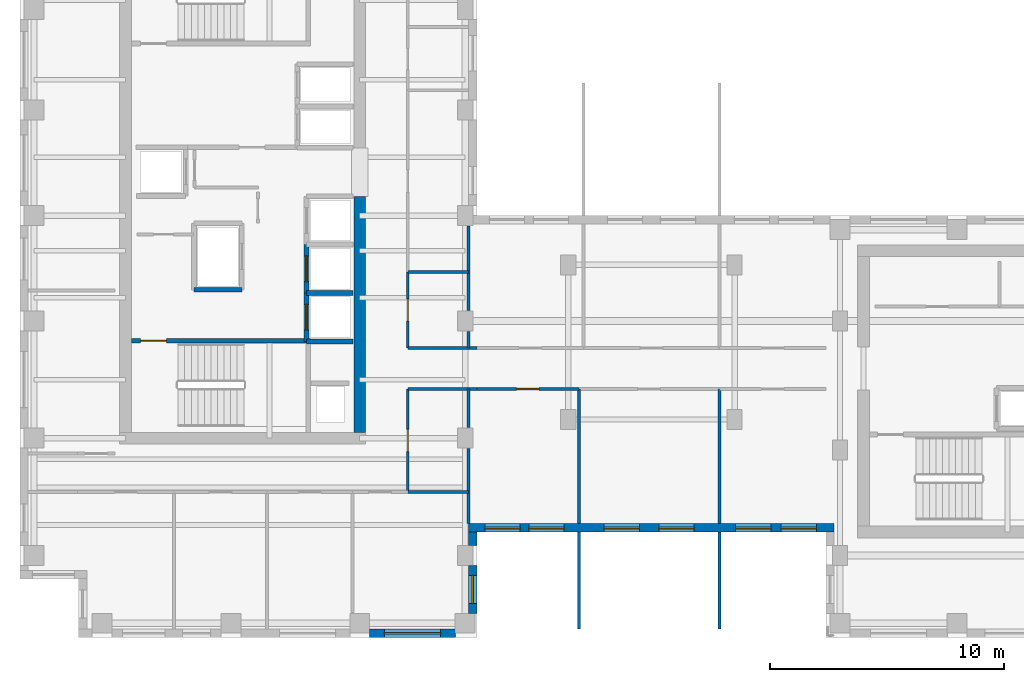
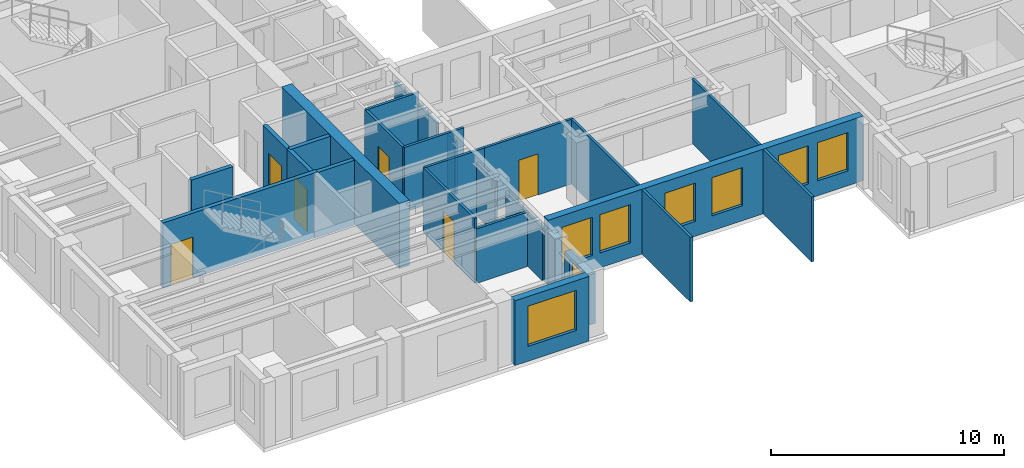
# One storey, part 4 of 11: 26 walls, 8 windows, 6 doors, 14 openings.
"""IFC4 building model written with IfcOpenShell, lengths in metres."""

import ifcopenshell
import ifcopenshell.guid

model = None  # the IFC model being written
_history = None  # IfcOwnerHistory: only IFC2X3 demands one
_inside = {}  # id of a spatial element -> (the spatial element, [elements in it])
_under = {}  # id of a project, library or spatial element -> (it, [spatial elements below it])
_declared = {}  # id of a project -> (the project, [libraries it declares])
_typed = {}  # id of a type object -> (the type object, [elements of that type])
_made_of = {}  # id of a material, layer set ... -> (it, [elements and type objects made of it])


def new_model(schema):
    """Start an empty IFC model of exactly this schema.

    Asked for "IFC4X3", IfcOpenShell would pick the latest addendum, in which some entities
    have other attributes; the version numbers below select the first issue.
    IFC2X3 requires an IfcOwnerHistory on every rooted entity: one is made here for all.
    """
    global model, _history
    if schema == "IFC4X3":
        model = ifcopenshell.file(schema_version=(4, 3, 0, 0))
    else:
        model = ifcopenshell.file(schema=schema)
    _inside.clear()
    _under.clear()
    _declared.clear()
    _typed.clear()
    _made_of.clear()
    _history = None
    if model.schema == "IFC2X3":
        org = make("IfcOrganization", Name="unknown")
        user = make(
            "IfcPersonAndOrganization",
            ThePerson=make("IfcPerson", FamilyName="unknown"),
            TheOrganization=org,
        )
        app = make(
            "IfcApplication",
            ApplicationDeveloper=org,
            Version="unknown",
            ApplicationFullName="unknown",
            ApplicationIdentifier="unknown",
        )
        _history = make(
            "IfcOwnerHistory",
            OwningUser=user,
            OwningApplication=app,
            ChangeAction="ADDED",
            CreationDate=0,
        )
    return model


def make(cls, **values):
    """One entity of the class cls with the attributes given. An attribute that is None is left unset."""
    return model.create_entity(
        cls, **{name: value for name, value in values.items() if value is not None}
    )


def rooted(cls, **values):
    """An entity with a GlobalId (a new one), such as an element, a storey or a relation."""
    return make(cls, GlobalId=ifcopenshell.guid.new(), OwnerHistory=_history, **values)


def si_unit(unit_type, name, prefix=None):
    """IfcSIUnit, for example si_unit("LENGTHUNIT", "METRE", prefix="MILLI")."""
    return make("IfcSIUnit", UnitType=unit_type, Prefix=prefix, Name=name)


def assignment(units):
    """IfcUnitAssignment: the units of a project."""
    return None if units is None else make("IfcUnitAssignment", Units=units)


def point(xyz):
    """IfcCartesianPoint."""
    return None if xyz is None else make("IfcCartesianPoint", Coordinates=xyz)


def direction(xyz):
    """IfcDirection."""
    return None if xyz is None else make("IfcDirection", DirectionRatios=xyz)


def frame(location, z_axis=None, x_axis=None):
    """IfcAxis2Placement3D, a coordinate frame: its origin and axes. An axis left out is left unset."""
    return make(
        "IfcAxis2Placement3D",
        Location=point(location),
        Axis=direction(z_axis),
        RefDirection=direction(x_axis),
    )


def frame_2d(location, x_axis=None):
    """IfcAxis2Placement2D, a coordinate frame in the plane: its origin and x axis."""
    return make(
        "IfcAxis2Placement2D", Location=point(location), RefDirection=direction(x_axis)
    )


def origin():
    """The frame at (0, 0, 0) with its axes left unset."""
    return frame((0.0, 0.0, 0.0))


def place(relative_to, where):
    """IfcLocalPlacement: puts the frame where relative to a parent placement (None: the world)."""
    return make(
        "IfcLocalPlacement", PlacementRelTo=relative_to, RelativePlacement=where
    )


def context(
    kind, dimensions, precision=None, world=None, true_north=None, identifier=None
):
    """IfcGeometricRepresentationContext, for example the 3D "Model" context."""
    return make(
        "IfcGeometricRepresentationContext",
        ContextIdentifier=identifier,
        ContextType=kind,
        CoordinateSpaceDimension=dimensions,
        Precision=precision,
        WorldCoordinateSystem=world,
        TrueNorth=true_north,
    )


def subcontext(parent, identifier, kind, view, scale=None):
    """IfcGeometricRepresentationSubContext, for example "Body" below "Model"."""
    return make(
        "IfcGeometricRepresentationSubContext",
        ContextIdentifier=identifier,
        ContextType=kind,
        ParentContext=parent,
        TargetScale=scale,
        TargetView=view,
    )


def project(units=None, contexts=None):
    """IfcProject with its units and contexts."""
    return rooted(
        "IfcProject",
        Name="project",
        RepresentationContexts=contexts,
        UnitsInContext=assignment(units),
    )


def spatial(cls, under=None, at=None, **own):
    """A site, building, storey or space (cls), placed at a placement, below another one or the project."""
    s = rooted(cls, ObjectPlacement=at, **own)
    if under is not None:
        _under.setdefault(under.id(), (under, []))[1].append(s)
    return s


def profile(cls, at=None, kind="AREA", **sizes):
    """A parametric profile (cls). Its sizes go by their IFC names, for example OverallWidth=200.0."""
    return make(cls, ProfileType=kind, Position=at, **sizes)


def rectangle(**sizes):
    """IfcRectangleProfileDef."""
    return profile("IfcRectangleProfileDef", **sizes)


def extrude(swept, where, along, depth):
    """IfcExtrudedAreaSolid: the profile swept, set in the frame where, extruded along a direction by depth."""
    return make(
        "IfcExtrudedAreaSolid",
        SweptArea=swept,
        Position=where,
        ExtrudedDirection=direction(along),
        Depth=depth,
    )


def shape(context_of_items, identifier, shape_type, items):
    """IfcShapeRepresentation: the items that make up one representation, for example the "Body"."""
    return make(
        "IfcShapeRepresentation",
        ContextOfItems=context_of_items,
        RepresentationIdentifier=identifier,
        RepresentationType=shape_type,
        Items=items,
    )


def source(mapping_origin, context_of_items, identifier, shape_type, items):
    """IfcRepresentationMap: a shape defined once, which mapped items show again and again."""
    return make(
        "IfcRepresentationMap",
        MappingOrigin=mapping_origin,
        MappedRepresentation=shape(context_of_items, identifier, shape_type, items),
    )


def transform(
    local_origin,
    x_axis=None,
    y_axis=None,
    z_axis=None,
    scale=None,
    scale2=None,
    scale3=None,
    uniform=True,
):
    """IfcCartesianTransformationOperator3D, or its non-uniform kind. x_axis, y_axis, z_axis: its Axis1, 2, 3."""
    if uniform:
        return make(
            "IfcCartesianTransformationOperator3D",
            Axis1=direction(x_axis),
            Axis2=direction(y_axis),
            LocalOrigin=point(local_origin),
            Scale=scale,
            Axis3=direction(z_axis),
        )
    return make(
        "IfcCartesianTransformationOperator3DnonUniform",
        Axis1=direction(x_axis),
        Axis2=direction(y_axis),
        LocalOrigin=point(local_origin),
        Scale=scale,
        Axis3=direction(z_axis),
        Scale2=scale2,
        Scale3=scale3,
    )


def mapped(mapping_source, mapping_target):
    """IfcMappedItem: shows the shape of a source again, moved by a transform."""
    return make(
        "IfcMappedItem", MappingSource=mapping_source, MappingTarget=mapping_target
    )


def material(Name=None, Category=None):
    """IfcMaterial."""
    return make("IfcMaterial", Name=Name, Category=Category)


def layer(
    of_material, thickness, ventilated=None, Name=None, Category=None, Priority=None
):
    """IfcMaterialLayer: one layer of a wall or slab, of a material (None: an air gap)."""
    return make(
        "IfcMaterialLayer",
        Material=of_material,
        LayerThickness=thickness,
        IsVentilated=ventilated,
        Name=Name,
        Category=Category,
        Priority=Priority,
    )


def layer_set(layers, Name=None):
    """IfcMaterialLayerSet."""
    return make("IfcMaterialLayerSet", MaterialLayers=layers, LayerSetName=Name)


def made_of(thing, what):
    """Note that an element or type object is made of a material, layer set ...; save() writes the relation."""
    if what is not None:
        _made_of.setdefault(what.id(), (what, []))[1].append(thing)
    return thing


def type_object(cls, material=None, **own):
    """A type object (cls), such as IfcWallType, which elements share."""
    return made_of(rooted(cls, **own), material)


def element(
    cls,
    number,
    at=None,
    inside=None,
    cuts=None,
    type_object=None,
    material=None,
    context=None,
    identifier="Body",
    shape_type=None,
    held_by="IfcProductDefinitionShape",
    body=None,
    shapes=None,
    **own,
):
    """One element of the class cls, such as IfcWall. Its Tag is "e" and its number.

    at: its placement. inside: the storey or other place that contains it. cuts: it is an
    opening in that element (IfcRelVoidsElement). A single representation is given by context,
    identifier, shape_type and body (its items); several are given by shapes. held_by: the class
    of the entity that holds the representations. save() writes the other relations.
    """
    e = rooted(cls, Tag="e%d" % number, ObjectPlacement=at, **own)
    if body is not None:
        shapes = [shape(context, identifier, shape_type, body)]
    if shapes is not None:
        e.Representation = make(held_by, Representations=shapes)
    if inside is not None:
        _inside.setdefault(inside.id(), (inside, []))[1].append(e)
    if cuts is not None:
        rooted(
            "IfcRelVoidsElement", RelatingBuildingElement=cuts, RelatedOpeningElement=e
        )
    if type_object is not None:
        _typed.setdefault(type_object.id(), (type_object, []))[1].append(e)
    return made_of(e, material)


def fill(opening, filler):
    """IfcRelFillsElement: the door or window that sits in an opening."""
    return rooted(
        "IfcRelFillsElement",
        RelatingOpeningElement=opening,
        RelatedBuildingElement=filler,
    )


def aggregate(whole, parts):
    """IfcRelAggregates: a whole, such as a stair, and the parts it consists of."""
    return rooted("IfcRelAggregates", RelatingObject=whole, RelatedObjects=parts)


def save(model, path):
    """Write the relations noted so far, then the file.

    IfcRelAggregates (storeys below a building ...), IfcRelContainedInSpatialStructure (elements
    in a storey), IfcRelDefinesByType, IfcRelAssociatesMaterial and IfcRelDeclares: one each for
    every whole, place, type object, material and project.
    """
    for whole, parts in _under.values():
        aggregate(whole, parts)
    for where, things in _inside.values():
        rooted(
            "IfcRelContainedInSpatialStructure",
            RelatedElements=things,
            RelatingStructure=where,
        )
    for kind, things in _typed.values():
        rooted("IfcRelDefinesByType", RelatedObjects=things, RelatingType=kind)
    for what, things in _made_of.values():
        rooted("IfcRelAssociatesMaterial", RelatedObjects=things, RelatingMaterial=what)
    for by, libraries in _declared.values():
        rooted("IfcRelDeclares", RelatingContext=by, RelatedDefinitions=libraries)
    model.write(path)


model = new_model("IFC4")

# Units and contexts
model_context = context("Model", 3, precision=1e-05, world=origin(), true_north=direction((0.0, 1.0)))
body_context = subcontext(model_context, "Body", "Model", "MODEL_VIEW")
ifc_project = project(units=[si_unit("LENGTHUNIT", "METRE"), si_unit("AREAUNIT", "SQUARE_METRE"), si_unit("VOLUMEUNIT", "CUBIC_METRE"), si_unit("PLANEANGLEUNIT", "RADIAN"), si_unit("MASSUNIT", "GRAM", prefix="KILO")], contexts=[model_context])

# Site, building, storey
site_placement = place(None, origin())
site = spatial("IfcSite", under=ifc_project, at=site_placement, CompositionType="ELEMENT")
building_placement = place(site_placement, origin())
building = spatial("IfcBuilding", under=site, at=building_placement, Name="Kharzan Plaza Tower", CompositionType="ELEMENT")
storey_placement = place(building_placement, frame((0.0, 0.0, 219.60009765625)))
storey = spatial("IfcBuildingStorey", under=building, at=storey_placement, Name="L59", CompositionType="ELEMENT", Elevation=219.60009765625)

# Wall, opening, window
ifc_material_1 = material(Name="Concrete C40/50", Category="concrete")
ifc_layer_1 = layer(ifc_material_1, 0.35009765625)
ifc_layer_set_1 = layer_set([ifc_layer_1], Name="Concrete C40/50")
wall_type_1 = type_object("IfcWallType", Name="WL-EXT-MAS-Z4", PredefinedType="SOLIDWALL", material=ifc_layer_set_1)
wall_1_placement = place(storey_placement, frame((14.923095703125, 0.175048828125, 0.0), z_axis=(0.0, 0.0, 1.0), x_axis=(1.0, 0.0, 0.0)))
wall_1 = element("IfcWall", 1, at=wall_1_placement, inside=storey, type_object=wall_type_1, Name="L59 Masonry-Frame Exterior Wall 23", PredefinedType="SOLIDWALL", context=body_context, shape_type="SweptSolid", body=[
    extrude(rectangle(XDim=3.65380859375, YDim=0.35009765625, at=frame_2d((1.826904296875, 0.0))), origin(), (0.0, 0.0, 1.0), 3.385009765625),
])
opening_1_placement = place(wall_1_placement, frame((0.626953125, 0.0, 0.780029296875)))
opening_1 = element("IfcOpeningElement", 2, at=opening_1_placement, cuts=wall_1, Name="Opening W2", PredefinedType="OPENING", context=body_context, shape_type="SweptSolid", body=[
    extrude(rectangle(XDim=2.39990234375, YDim=2.10009765625, at=frame_2d((1.199951171875, 1.050048828125))), frame((0.0, 0.18505859375, 0.0), z_axis=(0.0, -1.0, 0.0), x_axis=(1.0, 0.0, 0.0)), (0.0, 0.0, 1.0), 0.3701171875),
])
ifc_material_2 = material(Name="Low-E Double Glazing", Category="glass")
window_type_1 = type_object("IfcWindowType", Name="WN-REC-2400x2100", PartitioningType="SINGLE_PANEL", PredefinedType="WINDOW", material=ifc_material_2)
shared_shape_1 = source(origin(), body_context, "Body", "SweptSolid", [
    extrude(rectangle(XDim=2.39990234375, YDim=2.10009765625, at=frame_2d((1.199951171875, 1.050048828125))), frame((0.0, 0.030029296875, 0.0), z_axis=(0.0, -1.0, 0.0), x_axis=(1.0, 0.0, 0.0)), (0.0, 0.0, 1.0), 0.06005859375),
])
window_1_placement = place(opening_1_placement, origin())
window_1 = element("IfcWindow", 3, at=window_1_placement, inside=storey, type_object=window_type_1, Name="L59 Wide Recessed Solar-Control Window 23-1", OverallHeight=2.10009765625, OverallWidth=2.39990234375, PartitioningType="SINGLE_PANEL", PredefinedType="WINDOW", context=body_context, shape_type="MappedRepresentation", body=[
    mapped(shared_shape_1, transform((0.0, 0.0, 0.0), x_axis=(1.0, 0.0, 0.0), y_axis=(0.0, 1.0, 0.0), z_axis=(0.0, 0.0, 1.0))),
])
fill(opening_1, window_1)

wall_2_placement = place(storey_placement, frame((19.324951171875, 1.02294921875, 0.0), z_axis=(0.0, 0.0, 1.0), x_axis=(0.0, 1.0, 0.0)))
wall_2 = element("IfcWall", 4, at=wall_2_placement, inside=storey, type_object=wall_type_1, Name="L59 Masonry-Frame Exterior Wall 24", PredefinedType="SOLIDWALL", context=body_context, shape_type="SweptSolid", body=[
    extrude(rectangle(XDim=2.053955078125, YDim=0.35009765625, at=frame_2d((1.02685546875, 0.0))), origin(), (0.0, 0.0, 1.0), 2.618896484375),
])
opening_2_placement = place(wall_2_placement, frame((0.427001953125, 0.0, 0.780029296875)))
opening_2 = element("IfcOpeningElement", 5, at=opening_2_placement, cuts=wall_2, Name="Opening W3", PredefinedType="OPENING", context=body_context, shape_type="SweptSolid", body=[
    extrude(rectangle(XDim=1.199951171875, YDim=1.658935546875, at=frame_2d((0.60009765625, 0.82958984375))), frame((0.0, 0.18505859375, 0.0), z_axis=(0.0, -1.0, 0.0), x_axis=(1.0, 0.0, 0.0)), (0.0, 0.0, 1.0), 0.3701171875),
])
window_type_2 = type_object("IfcWindowType", Name="WN-REC-1200x2100", PartitioningType="SINGLE_PANEL", PredefinedType="WINDOW", material=ifc_material_2)
shared_shape_2 = source(origin(), body_context, "Body", "SweptSolid", [
    extrude(rectangle(XDim=1.199951171875, YDim=1.658935546875, at=frame_2d((0.60009765625, 0.82958984375))), frame((0.0, 0.030029296875, 0.0), z_axis=(0.0, -1.0, 0.0), x_axis=(1.0, 0.0, 0.0)), (0.0, 0.0, 1.0), 0.06005859375),
])
window_2_placement = place(opening_2_placement, origin())
window_2 = element("IfcWindow", 6, at=window_2_placement, inside=storey, type_object=window_type_2, Name="L59 Recessed Solar-Control Window 24-1", OverallHeight=1.658935546875, OverallWidth=1.199951171875, PartitioningType="SINGLE_PANEL", PredefinedType="WINDOW", context=body_context, shape_type="MappedRepresentation", body=[
    mapped(shared_shape_2, transform((0.0, 0.0, 0.0), x_axis=(1.0, 0.0, 0.0), y_axis=(0.0, 1.0, 0.0), z_axis=(0.0, 0.0, 1.0))),
])
fill(opening_2, window_2)

# Wall, openings, windows
wall_3_placement = place(storey_placement, frame((19.14990234375, 4.675048828125, 0.0), z_axis=(0.0, 0.0, 1.0), x_axis=(1.0, 0.0, 0.0)))
wall_3 = element("IfcWall", 7, at=wall_3_placement, inside=storey, type_object=wall_type_1, Name="L59 Masonry-Frame Exterior Wall 26", PredefinedType="SOLIDWALL", context=body_context, shape_type="SweptSolid", body=[
    extrude(rectangle(XDim=15.60009765625, YDim=0.35009765625, at=frame_2d((7.800048828125, 0.0))), origin(), (0.0, 0.0, 1.0), 3.385009765625),
])
opening_3_placement = place(wall_3_placement, frame((0.69677734375, 0.0, 0.780029296875)))
opening_3 = element("IfcOpeningElement", 8, at=opening_3_placement, cuts=wall_3, Name="Opening W5", PredefinedType="OPENING", context=body_context, shape_type="SweptSolid", body=[
    extrude(rectangle(XDim=1.5, YDim=2.0, at=frame_2d((0.75, 1.0))), frame((0.0, 0.18505859375, 0.0), z_axis=(0.0, -1.0, 0.0), x_axis=(1.0, 0.0, 0.0)), (0.0, 0.0, 1.0), 0.3701171875),
])
opening_4_placement = place(wall_3_placement, frame((2.5732421875, 0.0, 0.780029296875)))
opening_4 = element("IfcOpeningElement", 9, at=opening_4_placement, cuts=wall_3, Name="Opening W5", PredefinedType="OPENING", context=body_context, shape_type="SweptSolid", body=[
    extrude(rectangle(XDim=1.5, YDim=2.0, at=frame_2d((0.75, 1.0))), frame((0.0, 0.18505859375, 0.0), z_axis=(0.0, -1.0, 0.0), x_axis=(1.0, 0.0, 0.0)), (0.0, 0.0, 1.0), 0.3701171875),
])
opening_5_placement = place(wall_3_placement, frame((5.783203125, 0.0, 0.780029296875)))
opening_5 = element("IfcOpeningElement", 10, at=opening_5_placement, cuts=wall_3, Name="Opening W5", PredefinedType="OPENING", context=body_context, shape_type="SweptSolid", body=[
    extrude(rectangle(XDim=1.5, YDim=2.0, at=frame_2d((0.75, 1.0))), frame((0.0, 0.18505859375, 0.0), z_axis=(0.0, -1.0, 0.0), x_axis=(1.0, 0.0, 0.0)), (0.0, 0.0, 1.0), 0.3701171875),
])
opening_6_placement = place(wall_3_placement, frame((8.11669921875, 0.0, 0.780029296875)))
opening_6 = element("IfcOpeningElement", 11, at=opening_6_placement, cuts=wall_3, Name="Opening W5", PredefinedType="OPENING", context=body_context, shape_type="SweptSolid", body=[
    extrude(rectangle(XDim=1.5, YDim=2.0, at=frame_2d((0.75, 1.0))), frame((0.0, 0.18505859375, 0.0), z_axis=(0.0, -1.0, 0.0), x_axis=(1.0, 0.0, 0.0)), (0.0, 0.0, 1.0), 0.3701171875),
])
opening_7_placement = place(wall_3_placement, frame((11.393310546875, 0.0, 0.780029296875)))
opening_7 = element("IfcOpeningElement", 12, at=opening_7_placement, cuts=wall_3, Name="Opening W5", PredefinedType="OPENING", context=body_context, shape_type="SweptSolid", body=[
    extrude(rectangle(XDim=1.5, YDim=2.0, at=frame_2d((0.75, 1.0))), frame((0.0, 0.18505859375, 0.0), z_axis=(0.0, -1.0, 0.0), x_axis=(1.0, 0.0, 0.0)), (0.0, 0.0, 1.0), 0.3701171875),
])
opening_8_placement = place(wall_3_placement, frame((13.336669921875, 0.0, 0.780029296875)))
opening_8 = element("IfcOpeningElement", 13, at=opening_8_placement, cuts=wall_3, Name="Opening W5", PredefinedType="OPENING", context=body_context, shape_type="SweptSolid", body=[
    extrude(rectangle(XDim=1.5, YDim=2.0, at=frame_2d((0.75, 1.0))), frame((0.0, 0.18505859375, 0.0), z_axis=(0.0, -1.0, 0.0), x_axis=(1.0, 0.0, 0.0)), (0.0, 0.0, 1.0), 0.3701171875),
])
window_type_3 = type_object("IfcWindowType", Name="WN-SLT-1500x2000", PartitioningType="SINGLE_PANEL", PredefinedType="WINDOW", material=ifc_material_2)
shared_shape_3 = source(origin(), body_context, "Body", "SweptSolid", [
    extrude(rectangle(XDim=1.5, YDim=2.0, at=frame_2d((0.75, 1.0))), frame((0.0, 0.030029296875, 0.0), z_axis=(0.0, -1.0, 0.0), x_axis=(1.0, 0.0, 0.0)), (0.0, 0.0, 1.0), 0.06005859375),
])
window_3_placement = place(opening_3_placement, origin())
window_3 = element("IfcWindow", 14, at=window_3_placement, inside=storey, type_object=window_type_3, Name="L59 Recessed Solar-Control Window 26-1", OverallHeight=2.0, OverallWidth=1.5, PartitioningType="SINGLE_PANEL", PredefinedType="WINDOW", context=body_context, shape_type="MappedRepresentation", body=[
    mapped(shared_shape_3, transform((0.0, 0.0, 0.0), x_axis=(1.0, 0.0, 0.0), y_axis=(0.0, 1.0, 0.0), z_axis=(0.0, 0.0, 1.0))),
])
fill(opening_3, window_3)
window_4_placement = place(opening_4_placement, origin())
window_4 = element("IfcWindow", 15, at=window_4_placement, inside=storey, type_object=window_type_3, Name="L59 Recessed Solar-Control Window 26-2", OverallHeight=2.0, OverallWidth=1.5, PartitioningType="SINGLE_PANEL", PredefinedType="WINDOW", context=body_context, shape_type="MappedRepresentation", body=[
    mapped(shared_shape_3, transform((0.0, 0.0, 0.0), x_axis=(1.0, 0.0, 0.0), y_axis=(0.0, 1.0, 0.0), z_axis=(0.0, 0.0, 1.0))),
])
fill(opening_4, window_4)
window_5_placement = place(opening_5_placement, origin())
window_5 = element("IfcWindow", 16, at=window_5_placement, inside=storey, type_object=window_type_3, Name="L59 Recessed Solar-Control Window 26-3", OverallHeight=2.0, OverallWidth=1.5, PartitioningType="SINGLE_PANEL", PredefinedType="WINDOW", context=body_context, shape_type="MappedRepresentation", body=[
    mapped(shared_shape_3, transform((0.0, 0.0, 0.0), x_axis=(1.0, 0.0, 0.0), y_axis=(0.0, 1.0, 0.0), z_axis=(0.0, 0.0, 1.0))),
])
fill(opening_5, window_5)
window_6_placement = place(opening_6_placement, origin())
window_6 = element("IfcWindow", 17, at=window_6_placement, inside=storey, type_object=window_type_3, Name="L59 Recessed Solar-Control Window 26-4", OverallHeight=2.0, OverallWidth=1.5, PartitioningType="SINGLE_PANEL", PredefinedType="WINDOW", context=body_context, shape_type="MappedRepresentation", body=[
    mapped(shared_shape_3, transform((0.0, 0.0, 0.0), x_axis=(1.0, 0.0, 0.0), y_axis=(0.0, 1.0, 0.0), z_axis=(0.0, 0.0, 1.0))),
])
fill(opening_6, window_6)
window_7_placement = place(opening_7_placement, origin())
window_7 = element("IfcWindow", 18, at=window_7_placement, inside=storey, type_object=window_type_3, Name="L59 Recessed Solar-Control Window 26-5", OverallHeight=2.0, OverallWidth=1.5, PartitioningType="SINGLE_PANEL", PredefinedType="WINDOW", context=body_context, shape_type="MappedRepresentation", body=[
    mapped(shared_shape_3, transform((0.0, 0.0, 0.0), x_axis=(1.0, 0.0, 0.0), y_axis=(0.0, 1.0, 0.0), z_axis=(0.0, 0.0, 1.0))),
])
fill(opening_7, window_7)
window_8_placement = place(opening_8_placement, origin())
window_8 = element("IfcWindow", 19, at=window_8_placement, inside=storey, type_object=window_type_3, Name="L59 Recessed Solar-Control Window 26-6", OverallHeight=2.0, OverallWidth=1.5, PartitioningType="SINGLE_PANEL", PredefinedType="WINDOW", context=body_context, shape_type="MappedRepresentation", body=[
    mapped(shared_shape_3, transform((0.0, 0.0, 0.0), x_axis=(1.0, 0.0, 0.0), y_axis=(0.0, 1.0, 0.0), z_axis=(0.0, 0.0, 1.0))),
])
fill(opening_8, window_8)

# Wall, opening, door
ifc_material_3 = material(Name="Fire-Rated Gypsum Board Partition", Category="gypsum")
ifc_layer_2 = layer(ifc_material_3, 0.125)
ifc_layer_set_2 = layer_set([ifc_layer_2], Name="Fire-Rated Gypsum Board Partition")
wall_type_2 = type_object("IfcWallType", Name="WL-INT-PART-125", PredefinedType="PARTITIONING", material=ifc_layer_set_2)
wall_4_placement = place(storey_placement, frame((16.550048828125, 12.35009765625, 0.0), z_axis=(0.0, 0.0, 1.0), x_axis=(0.0, 1.0, 0.0)))
wall_4 = element("IfcWall", 20, at=wall_4_placement, inside=storey, type_object=wall_type_2, Name="L59 Interior Partition SH-AEWN1", PredefinedType="PARTITIONING", context=body_context, shape_type="SweptSolid", body=[
    extrude(rectangle(XDim=3.25, YDim=0.125, at=frame_2d((1.625, 0.0))), origin(), (0.0, 0.0, 1.0), 3.385009765625),
])
opening_9_placement = place(wall_4_placement, frame((1.14990234375, 0.0, 0.0)))
opening_9 = element("IfcOpeningElement", 21, at=opening_9_placement, cuts=wall_4, Name="Opening OD1", PredefinedType="OPENING", context=body_context, shape_type="SweptSolid", body=[
    extrude(rectangle(XDim=0.949951171875, YDim=2.14990234375, at=frame_2d((0.47509765625, 1.074951171875))), frame((0.0, 0.072509765625, 0.0), z_axis=(0.0, -1.0, 0.0), x_axis=(1.0, 0.0, 0.0)), (0.0, 0.0, 1.0), 0.14501953125),
])
ifc_material_4 = material(Name="Acoustic Solid-Core Stained Oak", Category="timber")
door_type_1 = type_object("IfcDoorType", Name="DR-OFF-SINGLE", OperationType="NOTDEFINED", PredefinedType="DOOR", material=ifc_material_4)
shared_shape_4 = source(origin(), body_context, "Body", "SweptSolid", [
    extrude(rectangle(XDim=0.949951171875, YDim=2.14990234375, at=frame_2d((0.47509765625, 1.074951171875))), frame((0.0, 0.02490234375, 0.0), z_axis=(0.0, -1.0, 0.0), x_axis=(1.0, 0.0, 0.0)), (0.0, 0.0, 1.0), 0.050048828125),
])
door_1_placement = place(opening_9_placement, origin())
door_1 = element("IfcDoor", 22, at=door_1_placement, inside=storey, type_object=door_type_1, Name="L59 Slot Collaboration Door", OperationType="SINGLE_SWING_RIGHT", OverallHeight=2.14990234375, OverallWidth=0.949951171875, PredefinedType="DOOR", context=body_context, shape_type="MappedRepresentation", body=[
    mapped(shared_shape_4, transform((0.0, 0.0, 0.0), x_axis=(1.0, 0.0, 0.0), y_axis=(0.0, 1.0, 0.0), z_axis=(0.0, 0.0, 1.0))),
])
fill(opening_9, door_1)

wall_5_placement = place(storey_placement, frame((16.550048828125, 6.199951171875, 0.0), z_axis=(0.0, 0.0, 1.0), x_axis=(0.0, 1.0, 0.0)))
wall_5 = element("IfcWall", 23, at=wall_5_placement, inside=storey, type_object=wall_type_2, Name="L59 Interior Partition SH-AEWS", PredefinedType="PARTITIONING", context=body_context, shape_type="SweptSolid", body=[
    extrude(rectangle(XDim=4.400146484375, YDim=0.125, at=frame_2d((2.2001953125, 0.0))), origin(), (0.0, 0.0, 1.0), 3.385009765625),
])
opening_10_placement = place(wall_5_placement, frame((1.72509765625, 0.0, 0.0)))
opening_10 = element("IfcOpeningElement", 24, at=opening_10_placement, cuts=wall_5, Name="Opening OD1", PredefinedType="OPENING", context=body_context, shape_type="SweptSolid", body=[
    extrude(rectangle(XDim=0.949951171875, YDim=2.14990234375, at=frame_2d((0.47509765625, 1.074951171875))), frame((0.0, 0.072509765625, 0.0), z_axis=(0.0, -1.0, 0.0), x_axis=(1.0, 0.0, 0.0)), (0.0, 0.0, 1.0), 0.14501953125),
])
door_2_placement = place(opening_10_placement, origin())
door_2 = element("IfcDoor", 25, at=door_2_placement, inside=storey, type_object=door_type_1, Name="L59 Slot South Office Door", OperationType="SINGLE_SWING_LEFT", OverallHeight=2.14990234375, OverallWidth=0.949951171875, PredefinedType="DOOR", context=body_context, shape_type="MappedRepresentation", body=[
    mapped(shared_shape_4, transform((0.0, 0.0, 0.0), x_axis=(1.0, 0.0, 0.0), y_axis=(0.0, 1.0, 0.0), z_axis=(0.0, 0.0, 1.0))),
])
fill(opening_10, door_2)

wall_6_placement = place(storey_placement, frame((19.5, 10.60009765625, 0.0), z_axis=(0.0, 0.0, 1.0), x_axis=(1.0, 0.0, 0.0)))
wall_6 = element("IfcWall", 26, at=wall_6_placement, inside=storey, type_object=wall_type_2, Name="L59 Interior Partition SH-SPS1", PredefinedType="PARTITIONING", context=body_context, shape_type="SweptSolid", body=[
    extrude(rectangle(XDim=4.35009765625, YDim=0.125, at=frame_2d((2.175048828125, 0.0))), origin(), (0.0, 0.0, 1.0), 3.385009765625),
])
opening_11_placement = place(wall_6_placement, frame((1.699951171875, 0.0, 0.0)))
opening_11 = element("IfcOpeningElement", 27, at=opening_11_placement, cuts=wall_6, Name="Opening OD1", PredefinedType="OPENING", context=body_context, shape_type="SweptSolid", body=[
    extrude(rectangle(XDim=0.949951171875, YDim=2.14990234375, at=frame_2d((0.47509765625, 1.074951171875))), frame((0.0, 0.072509765625, 0.0), z_axis=(0.0, -1.0, 0.0), x_axis=(1.0, 0.0, 0.0)), (0.0, 0.0, 1.0), 0.14501953125),
])
door_3_placement = place(opening_11_placement, origin())
door_3 = element("IfcDoor", 28, at=door_3_placement, inside=storey, type_object=door_type_1, Name="L59 Spine Studio 1 Door", OperationType="SINGLE_SWING_RIGHT", OverallHeight=2.14990234375, OverallWidth=0.949951171875, PredefinedType="DOOR", context=body_context, shape_type="MappedRepresentation", body=[
    mapped(shared_shape_4, transform((0.0, 0.0, 0.0), x_axis=(1.0, 0.0, 0.0), y_axis=(0.0, 1.0, 0.0), z_axis=(0.0, 0.0, 1.0))),
])
fill(opening_11, door_3)

ifc_layer_3 = layer(ifc_material_1, 0.199951171875)
ifc_layer_set_3 = layer_set([ifc_layer_3], Name="Concrete C40/50")
wall_type_3 = type_object("IfcWallType", Name="WL-INT-SHAFT-200", PredefinedType="PARTITIONING", material=ifc_layer_set_3)
wall_7_placement = place(storey_placement, frame((12.22998046875, 12.6298828125, 0.0), z_axis=(0.0, 0.0, 1.0), x_axis=(0.0, 1.0, 0.0)))
wall_7 = element("IfcWall", 29, at=wall_7_placement, inside=storey, type_object=wall_type_3, Name="L59 Interior Partition SHF-PL-H1-W", PredefinedType="PARTITIONING", context=body_context, shape_type="SweptSolid", body=[
    extrude(rectangle(XDim=2.070068359375, YDim=0.199951171875, at=frame_2d((1.03515625, 0.0))), origin(), (0.0, 0.0, 1.0), 3.385009765625),
])
opening_12_placement = place(wall_7_placement, frame((0.485107421875, 0.0, 0.0)))
opening_12 = element("IfcOpeningElement", 30, at=opening_12_placement, cuts=wall_7, Name="Opening LD", PredefinedType="OPENING", context=body_context, shape_type="SweptSolid", body=[
    extrude(rectangle(XDim=1.10009765625, YDim=2.199951171875, at=frame_2d((0.550048828125, 1.10009765625))), frame((0.0, 0.10986328125, 0.0), z_axis=(0.0, -1.0, 0.0), x_axis=(1.0, 0.0, 0.0)), (0.0, 0.0, 1.0), 0.219970703125),
])
ifc_material_5 = material(Name="Brushed Stainless Steel", Category="steel")
door_type_2 = type_object("IfcDoorType", Name="DR-LIFT-SLIDE", OperationType="SLIDING_TO_LEFT", PredefinedType="DOOR", material=ifc_material_5)
shared_shape_5 = source(origin(), body_context, "Body", "SweptSolid", [
    extrude(rectangle(XDim=1.10009765625, YDim=2.199951171875, at=frame_2d((0.550048828125, 1.10009765625))), frame((0.0, 0.02490234375, 0.0), z_axis=(0.0, -1.0, 0.0), x_axis=(1.0, 0.0, 0.0)), (0.0, 0.0, 1.0), 0.050048828125),
])
door_4_placement = place(opening_12_placement, origin())
door_4 = element("IfcDoor", 31, at=door_4_placement, inside=storey, type_object=door_type_2, Name="L59 High-Rise Passenger Lift PL-H1 Sliding Landing Door", OperationType="SLIDING_TO_LEFT", OverallHeight=2.199951171875, OverallWidth=1.10009765625, PredefinedType="DOOR", context=body_context, shape_type="MappedRepresentation", body=[
    mapped(shared_shape_5, transform((0.0, 0.0, 0.0), x_axis=(1.0, 0.0, 0.0), y_axis=(0.0, 1.0, 0.0), z_axis=(0.0, 0.0, 1.0))),
])
fill(opening_12, door_4)

wall_8_placement = place(storey_placement, frame((12.22998046875, 14.699951171875, 0.0), z_axis=(0.0, 0.0, 1.0), x_axis=(0.0, 1.0, 0.0)))
wall_8 = element("IfcWall", 32, at=wall_8_placement, inside=storey, type_object=wall_type_3, Name="L59 Interior Partition SHF-PL-H2-W", PredefinedType="PARTITIONING", context=body_context, shape_type="SweptSolid", body=[
    extrude(rectangle(XDim=2.070068359375, YDim=0.199951171875, at=frame_2d((1.03515625, 0.0))), origin(), (0.0, 0.0, 1.0), 3.385009765625),
])
opening_13_placement = place(wall_8_placement, frame((0.485107421875, 0.0, 0.0)))
opening_13 = element("IfcOpeningElement", 33, at=opening_13_placement, cuts=wall_8, Name="Opening LD", PredefinedType="OPENING", context=body_context, shape_type="SweptSolid", body=[
    extrude(rectangle(XDim=1.10009765625, YDim=2.199951171875, at=frame_2d((0.550048828125, 1.10009765625))), frame((0.0, 0.10986328125, 0.0), z_axis=(0.0, -1.0, 0.0), x_axis=(1.0, 0.0, 0.0)), (0.0, 0.0, 1.0), 0.219970703125),
])
door_5_placement = place(opening_13_placement, origin())
door_5 = element("IfcDoor", 34, at=door_5_placement, inside=storey, type_object=door_type_2, Name="L59 High-Rise Passenger Lift PL-H2 Sliding Landing Door", OperationType="SLIDING_TO_LEFT", OverallHeight=2.199951171875, OverallWidth=1.10009765625, PredefinedType="DOOR", context=body_context, shape_type="MappedRepresentation", body=[
    mapped(shared_shape_5, transform((0.0, 0.0, 0.0), x_axis=(1.0, 0.0, 0.0), y_axis=(0.0, 1.0, 0.0), z_axis=(0.0, 0.0, 1.0))),
])
fill(opening_13, door_5)

ifc_material_6 = material(Name="Concrete C50/60", Category="concrete")
ifc_layer_4 = layer(ifc_material_6, 0.199951171875)
ifc_layer_set_4 = layer_set([ifc_layer_4], Name="Concrete C50/60")
wall_type_4 = type_object("IfcWallType", Name="WL-SHAFT-RC200", PredefinedType="SHEAR", material=ifc_layer_set_4)
wall_9_placement = place(storey_placement, frame((4.751953125, 12.655029296875, 0.0), z_axis=(0.0, 0.0, 1.0), x_axis=(1.0, 0.0, 0.0)))
wall_9 = element("IfcWall", 35, at=wall_9_placement, inside=storey, type_object=wall_type_4, Name="L59 Stair ST-1 North RC Shaft Wall", PredefinedType="SHEAR", context=body_context, shape_type="SweptSolid", body=[
    extrude(rectangle(XDim=7.653076171875, YDim=0.199951171875, at=frame_2d((3.82666015625, 0.0))), origin(), (0.0, 0.0, 1.0), 3.39990234375),
])
opening_14_placement = place(wall_9_placement, frame((0.39990234375, 0.0, 0.0)))
opening_14 = element("IfcOpeningElement", 36, at=opening_14_placement, cuts=wall_9, Name="Opening SD1", PredefinedType="OPENING", context=body_context, shape_type="SweptSolid", body=[
    extrude(rectangle(XDim=1.10009765625, YDim=2.14990234375, at=frame_2d((0.550048828125, 1.074951171875))), frame((0.0, 0.10986328125, 0.0), z_axis=(0.0, -1.0, 0.0), x_axis=(1.0, 0.0, 0.0)), (0.0, 0.0, 1.0), 0.219970703125),
])
ifc_material_7 = material(Name="Fire-Rated Hollow Galvanized Steel", Category="steel")
door_type_3 = type_object("IfcDoorType", Name="DR-STAIR-FD120", OperationType="NOTDEFINED", PredefinedType="DOOR", material=ifc_material_7)
shared_shape_6 = source(origin(), body_context, "Body", "SweptSolid", [
    extrude(rectangle(XDim=1.10009765625, YDim=2.14990234375, at=frame_2d((0.550048828125, 1.074951171875))), frame((0.0, 0.02490234375, 0.0), z_axis=(0.0, -1.0, 0.0), x_axis=(1.0, 0.0, 0.0)), (0.0, 0.0, 1.0), 0.050048828125),
])
door_6_placement = place(opening_14_placement, origin())
door_6 = element("IfcDoor", 37, at=door_6_placement, inside=storey, type_object=door_type_3, Name="L59 Stair ST-1 Fire Exit Door", OperationType="SINGLE_SWING_LEFT", OverallHeight=2.14990234375, OverallWidth=1.10009765625, PredefinedType="DOOR", context=body_context, shape_type="MappedRepresentation", body=[
    mapped(shared_shape_6, transform((0.0, 0.0, 0.0), x_axis=(1.0, 0.0, 0.0), y_axis=(0.0, 1.0, 0.0), z_axis=(0.0, 0.0, 1.0))),
])
fill(opening_14, door_6)

# Walls
shared_shape_7 = source(origin(), body_context, "Body", "SweptSolid", [
    extrude(rectangle(XDim=2.0400390625, YDim=0.199951171875, at=frame_2d((1.02001953125, 0.0))), origin(), (0.0, 0.0, 1.0), 3.385009765625),
])
wall_10_placement = place(storey_placement, frame((7.429931640625, 14.830078125, 0.0), z_axis=(0.0, 0.0, 1.0), x_axis=(1.0, 0.0, 0.0)))
element("IfcWall", 38, at=wall_10_placement, inside=storey, type_object=wall_type_3, Name="L59 Interior Partition SHF-SVL-1-S", PredefinedType="PARTITIONING", context=body_context, shape_type="MappedRepresentation", body=[
    mapped(shared_shape_7, transform((0.0, 0.0, 0.0), x_axis=(1.0, 0.0, 0.0), y_axis=(0.0, 1.0, 0.0), z_axis=(0.0, 0.0, 1.0))),
])
shared_shape_8 = source(origin(), body_context, "Body", "SweptSolid", [
    extrude(rectangle(XDim=2.949951171875, YDim=0.125, at=frame_2d((1.47509765625, 0.0))), origin(), (0.0, 0.0, 1.0), 3.385009765625),
])
for number, where, z_axis, x_axis, name in (
    (39, (16.550048828125, 12.35009765625, 0.0), (0.0, 0.0, 1.0), (1.0, 0.0, 0.0), "L59 Interior Partition SH-SPNW0"),
    (40, (16.550048828125, 10.60009765625, 0.0), (0.0, 0.0, 1.0), (1.0, 0.0, 0.0), "L59 Interior Partition SH-SPS0"),
):
    element("IfcWall", number, at=place(storey_placement, frame(where, z_axis=z_axis, x_axis=x_axis)), inside=storey, type_object=wall_type_2, Name=name, PredefinedType="PARTITIONING", context=body_context, shape_type="MappedRepresentation", body=[
        mapped(shared_shape_8, transform((0.0, 0.0, 0.0), x_axis=(1.0, 0.0, 0.0), y_axis=(0.0, 1.0, 0.0), z_axis=(0.0, 0.0, 1.0))),
    ])
shared_shape_9 = source(origin(), body_context, "Body", "SweptSolid", [
    extrude(rectangle(XDim=4.14794921875, YDim=0.125, at=frame_2d((2.073974609375, 0.0))), origin(), (0.0, 0.0, 1.0), 3.385009765625),
])
for number, where, z_axis, x_axis, name in (
    (41, (23.85009765625, 0.35009765625, 0.0), (0.0, 0.0, 1.0), (0.0, 1.0, 0.0), "L59 Interior Partition SH-SPSV1-S1"),
    (42, (29.85009765625, 0.35009765625, 0.0), (0.0, 0.0, 1.0), (0.0, 1.0, 0.0), "L59 Interior Partition SH-SPSV2-S1"),
):
    element("IfcWall", number, at=place(storey_placement, frame(where, z_axis=z_axis, x_axis=x_axis)), inside=storey, type_object=wall_type_2, Name=name, PredefinedType="PARTITIONING", context=body_context, shape_type="MappedRepresentation", body=[
        mapped(shared_shape_9, transform((0.0, 0.0, 0.0), x_axis=(1.0, 0.0, 0.0), y_axis=(0.0, 1.0, 0.0), z_axis=(0.0, 0.0, 1.0))),
    ])
shared_shape_10 = source(origin(), body_context, "Body", "SweptSolid", [
    extrude(rectangle(XDim=5.748046875, YDim=0.125, at=frame_2d((2.8740234375, 0.0))), origin(), (0.0, 0.0, 1.0), 3.385009765625),
])
for number, where, z_axis, x_axis, name in (
    (43, (23.85009765625, 4.85205078125, 0.0), (0.0, 0.0, 1.0), (0.0, 1.0, 0.0), "L59 Interior Partition SH-SPSV1-S2"),
    (44, (29.85009765625, 4.85205078125, 0.0), (0.0, 0.0, 1.0), (0.0, 1.0, 0.0), "L59 Interior Partition SH-SPSV2-S2"),
):
    element("IfcWall", number, at=place(storey_placement, frame(where, z_axis=z_axis, x_axis=x_axis)), inside=storey, type_object=wall_type_2, Name=name, PredefinedType="PARTITIONING", context=body_context, shape_type="MappedRepresentation", body=[
        mapped(shared_shape_10, transform((0.0, 0.0, 0.0), x_axis=(1.0, 0.0, 0.0), y_axis=(0.0, 1.0, 0.0), z_axis=(0.0, 0.0, 1.0))),
    ])
shared_shape_11 = source(origin(), body_context, "Body", "SweptSolid", [
    extrude(rectangle(XDim=2.599853515625, YDim=0.125, at=frame_2d((1.2998046875, 0.0))), origin(), (0.0, 0.0, 1.0), 3.385009765625),
])
wall_11_placement = place(storey_placement, frame((16.550048828125, 15.60009765625, 0.0), z_axis=(0.0, 0.0, 1.0), x_axis=(1.0, 0.0, 0.0)))
element("IfcWall", 45, at=wall_11_placement, inside=storey, type_object=wall_type_2, Name="L59 Interior Partition SH-AEH-156", PredefinedType="PARTITIONING", context=body_context, shape_type="MappedRepresentation", body=[
    mapped(shared_shape_11, transform((0.0, 0.0, 0.0), x_axis=(1.0, 0.0, 0.0), y_axis=(0.0, 1.0, 0.0), z_axis=(0.0, 0.0, 1.0))),
])
shared_shape_12 = source(origin(), body_context, "Body", "SweptSolid", [
    extrude(rectangle(XDim=1.989990234375, YDim=0.199951171875, at=frame_2d((0.9951171875, 0.0))), origin(), (0.0, 0.0, 1.0), 3.385009765625),
])
for number, where, z_axis, x_axis, name in (
    (46, (12.22998046875, 14.699951171875, 0.0), (0.0, 0.0, 1.0), (1.0, 0.0, 0.0), "L59 Interior Partition SHF-PL-H1-N"),
    (47, (12.22998046875, 12.6298828125, 0.0), (0.0, 0.0, 1.0), (1.0, 0.0, 0.0), "L59 Interior Partition SHF-PL-H1-S"),
):
    element("IfcWall", number, at=place(storey_placement, frame(where, z_axis=z_axis, x_axis=x_axis)), inside=storey, type_object=wall_type_3, Name=name, PredefinedType="PARTITIONING", context=body_context, shape_type="MappedRepresentation", body=[
        mapped(shared_shape_12, transform((0.0, 0.0, 0.0), x_axis=(1.0, 0.0, 0.0), y_axis=(0.0, 1.0, 0.0), z_axis=(0.0, 0.0, 1.0))),
    ])
ifc_layer_5 = layer(ifc_material_6, 0.5)
ifc_layer_set_5 = layer_set([ifc_layer_5], Name="Concrete C50/60")
wall_type_5 = type_object("IfcWallType", Name="WL-CORE-500", PredefinedType="SHEAR", material=ifc_layer_set_5)
shared_shape_13 = source(origin(), body_context, "Body", "SweptSolid", [
    extrude(rectangle(XDim=10.070068359375, YDim=0.5, at=frame_2d((5.03515625, 0.0))), origin(), (0.0, 0.0, 1.0), 3.39990234375),
])
wall_12_placement = place(storey_placement, frame((14.5, 8.75, 0.0), z_axis=(0.0, 0.0, 1.0), x_axis=(0.0, 1.0, 0.0)))
element("IfcWall", 48, at=wall_12_placement, inside=storey, type_object=wall_type_5, Name="L59 CORE-A east shear pier 1", PredefinedType="SHEAR", context=body_context, shape_type="MappedRepresentation", body=[
    mapped(shared_shape_13, transform((0.0, 0.0, 0.0), x_axis=(1.0, 0.0, 0.0), y_axis=(0.0, 1.0, 0.0), z_axis=(0.0, 0.0, 1.0))),
])
shared_shape_14 = source(origin(), body_context, "Body", "SweptSolid", [
    extrude(rectangle(XDim=0.578857421875, YDim=0.35009765625, at=frame_2d((0.28955078125, 0.0))), origin(), (0.0, 0.0, 1.0), 2.77294921875),
])
wall_13_placement = place(storey_placement, frame((19.324951171875, 3.923095703125, 0.0), z_axis=(0.0, 0.0, 1.0), x_axis=(0.0, 1.0, 0.0)))
element("IfcWall", 49, at=wall_13_placement, inside=storey, type_object=wall_type_1, Name="L59 Masonry-Frame Exterior Wall 25", PredefinedType="SOLIDWALL", context=body_context, shape_type="MappedRepresentation", body=[
    mapped(shared_shape_14, transform((0.0, 0.0, 0.0), x_axis=(1.0, 0.0, 0.0), y_axis=(0.0, 1.0, 0.0), z_axis=(0.0, 0.0, 1.0))),
])
shared_shape_15 = source(origin(), body_context, "Body", "SweptSolid", [
    extrude(rectangle(XDim=0.699951171875, YDim=0.125, at=frame_2d((0.35009765625, 0.0))), origin(), (0.0, 0.0, 1.0), 2.77294921875),
])
wall_14_placement = place(storey_placement, frame((19.14990234375, 12.35009765625, 0.0), z_axis=(0.0, 0.0, 1.0), x_axis=(0.0, 1.0, 0.0)))
element("IfcWall", 50, at=wall_14_placement, inside=storey, type_object=wall_type_2, Name="L59 Interior Partition SH-AEN-DIV-S1", PredefinedType="PARTITIONING", context=body_context, shape_type="MappedRepresentation", body=[
    mapped(shared_shape_15, transform((0.0, 0.0, 0.0), x_axis=(1.0, 0.0, 0.0), y_axis=(0.0, 1.0, 0.0), z_axis=(0.0, 0.0, 1.0))),
])
shared_shape_16 = source(origin(), body_context, "Body", "SweptSolid", [
    extrude(rectangle(XDim=3.60009765625, YDim=0.125, at=frame_2d((1.800048828125, 0.0))), origin(), (0.0, 0.0, 1.0), 2.77294921875),
])
wall_15_placement = place(storey_placement, frame((19.14990234375, 13.949951171875, 0.0), z_axis=(0.0, 0.0, 1.0), x_axis=(0.0, 1.0, 0.0)))
element("IfcWall", 51, at=wall_15_placement, inside=storey, type_object=wall_type_2, Name="L59 Interior Partition SH-AEN-DIV-S2", PredefinedType="PARTITIONING", context=body_context, shape_type="MappedRepresentation", body=[
    mapped(shared_shape_16, transform((0.0, 0.0, 0.0), x_axis=(1.0, 0.0, 0.0), y_axis=(0.0, 1.0, 0.0), z_axis=(0.0, 0.0, 1.0))),
])
shared_shape_17 = source(origin(), body_context, "Body", "SweptSolid", [
    extrude(rectangle(XDim=3.197998046875, YDim=0.125, at=frame_2d((1.59912109375, 0.0))), origin(), (0.0, 0.0, 1.0), 2.77294921875),
])
wall_16_placement = place(storey_placement, frame((19.14990234375, 4.85205078125, 0.0), z_axis=(0.0, 0.0, 1.0), x_axis=(0.0, 1.0, 0.0)))
element("IfcWall", 52, at=wall_16_placement, inside=storey, type_object=wall_type_2, Name="L59 Interior Partition SH-AESP-DIV-S1", PredefinedType="PARTITIONING", context=body_context, shape_type="MappedRepresentation", body=[
    mapped(shared_shape_17, transform((0.0, 0.0, 0.0), x_axis=(1.0, 0.0, 0.0), y_axis=(0.0, 1.0, 0.0), z_axis=(0.0, 0.0, 1.0))),
])
shared_shape_18 = source(origin(), body_context, "Body", "SweptSolid", [
    extrude(rectangle(XDim=1.650146484375, YDim=0.125, at=frame_2d((0.8251953125, 0.0))), origin(), (0.0, 0.0, 1.0), 2.77294921875),
])
wall_17_placement = place(storey_placement, frame((19.14990234375, 8.949951171875, 0.0), z_axis=(0.0, 0.0, 1.0), x_axis=(0.0, 1.0, 0.0)))
element("IfcWall", 53, at=wall_17_placement, inside=storey, type_object=wall_type_2, Name="L59 Interior Partition SH-AESP-DIV-S2", PredefinedType="PARTITIONING", context=body_context, shape_type="MappedRepresentation", body=[
    mapped(shared_shape_18, transform((0.0, 0.0, 0.0), x_axis=(1.0, 0.0, 0.0), y_axis=(0.0, 1.0, 0.0), z_axis=(0.0, 0.0, 1.0))),
])
shared_shape_19 = source(origin(), body_context, "Body", "SweptSolid", [
    extrude(rectangle(XDim=2.599853515625, YDim=0.125, at=frame_2d((1.2998046875, 0.0))), origin(), (0.0, 0.0, 1.0), 2.847900390625),
])
wall_18_placement = place(storey_placement, frame((16.550048828125, 6.199951171875, 0.0), z_axis=(0.0, 0.0, 1.0), x_axis=(1.0, 0.0, 0.0)))
element("IfcWall", 54, at=wall_18_placement, inside=storey, type_object=wall_type_2, Name="L59 Interior Partition SH-SSE-4", PredefinedType="PARTITIONING", context=body_context, shape_type="MappedRepresentation", body=[
    mapped(shared_shape_19, transform((0.0, 0.0, 0.0), x_axis=(1.0, 0.0, 0.0), y_axis=(0.0, 1.0, 0.0), z_axis=(0.0, 0.0, 1.0))),
])

save(model, "model.ifc")
